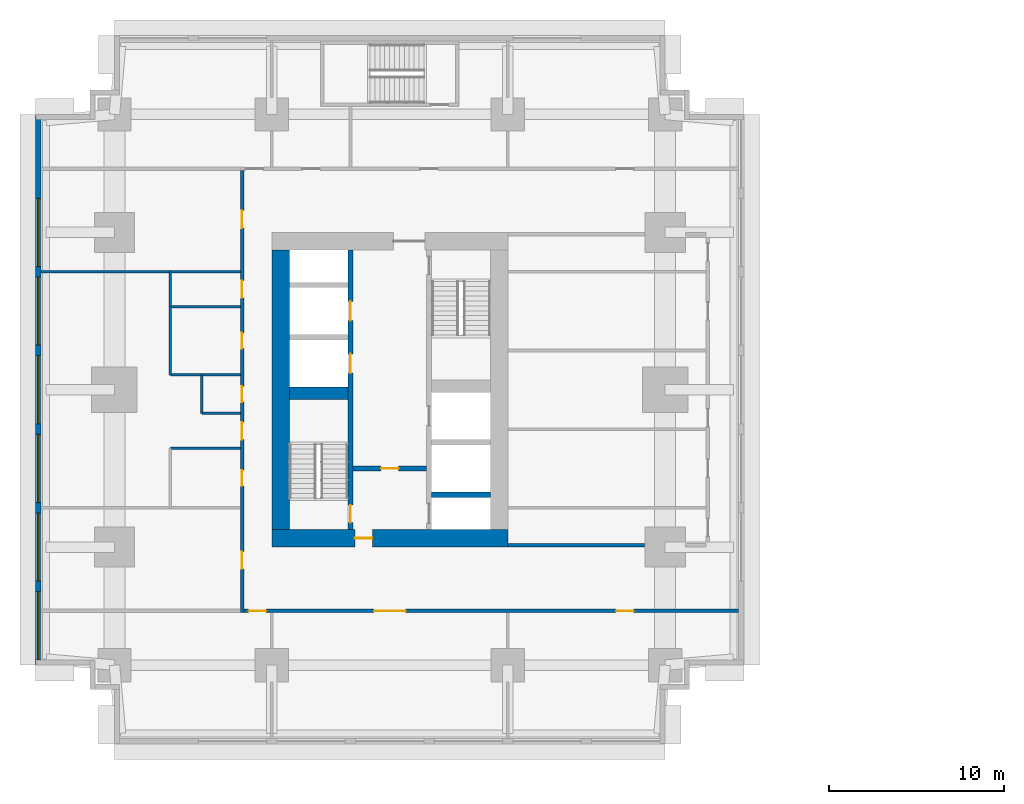
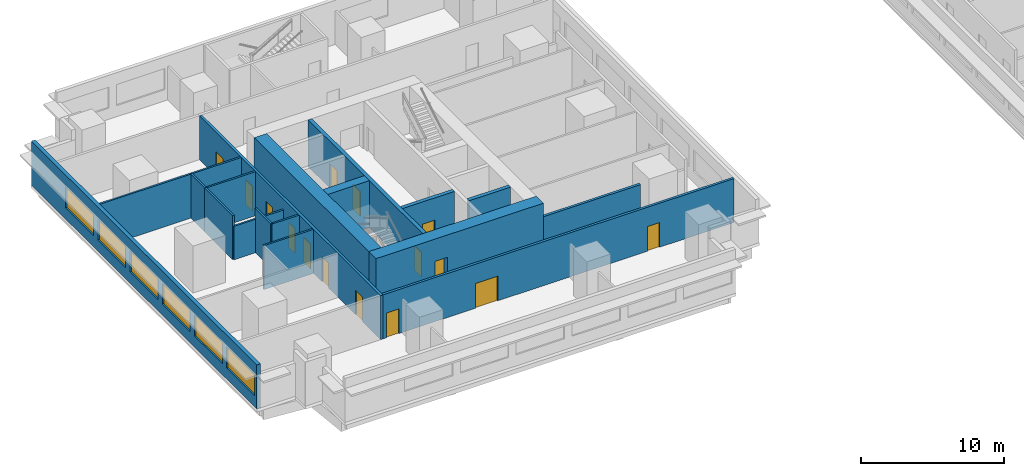
# One storey, part 3 of 11: 18 walls, 15 doors, 6 windows, 21 openings.
"""IFC4 building model written with IfcOpenShell, lengths in metres."""

from ifc_helpers import new_model, si_unit, direction, frame, frame_2d, origin, place, context, subcontext, project, spatial, rectangle, extrude, material, layer, layer_set, type_object, element, fill, save


model = new_model("IFC4")

# Units and contexts
model_context = context("Model", 3, precision=1e-05, world=origin(), true_north=direction((0.0, 1.0)))
body_context = subcontext(model_context, "Body", "Model", "MODEL_VIEW")
ifc_project = project(units=[si_unit("LENGTHUNIT", "METRE"), si_unit("AREAUNIT", "SQUARE_METRE"), si_unit("VOLUMEUNIT", "CUBIC_METRE"), si_unit("PLANEANGLEUNIT", "RADIAN"), si_unit("MASSUNIT", "GRAM", prefix="KILO")], contexts=[model_context])

# Site, building, storey
site_placement = place(None, origin())
site = spatial("IfcSite", under=ifc_project, at=site_placement, CompositionType="ELEMENT")
building_placement = place(site_placement, origin())
building = spatial("IfcBuilding", under=site, at=building_placement, Name="Namib Vertical Campus", CompositionType="ELEMENT")
storey_placement = place(building_placement, frame((0.0, 0.0, 85.0)))
storey = spatial("IfcBuildingStorey", under=building, at=storey_placement, Name="L19", CompositionType="ELEMENT", Elevation=85.0)

# Wall, openings, doors
ifc_material_1 = material(Name="Concrete C60/75", Category="concrete")
ifc_layer_1 = layer(ifc_material_1, 0.300048828125)
ifc_layer_set_1 = layer_set([ifc_layer_1], Name="Concrete C60/75")
wall_type_1 = type_object("IfcWallType", Name="Core inner wall 300", PredefinedType="SHEAR", material=ifc_layer_set_1)
wall_1_placement = place(storey_placement, frame((18.0, 12.25, 0.0), z_axis=(0.0, 0.0, 1.0), x_axis=(0.0, 1.0, 0.0)))
wall_1 = element("IfcWall", 1, at=wall_1_placement, inside=storey, type_object=wall_type_1, Name="Core inner wall A L19 W1", PredefinedType="SHEAR", context=body_context, shape_type="SweptSolid", body=[
    extrude(rectangle(XDim=16.0, YDim=0.300048828125, at=frame_2d((8.0, 0.0))), origin(), (0.0, 0.0, 1.0), 4.0),
])
opening_1_placement = place(wall_1_placement, frame((0.39990234375, 0.0, 0.0)))
opening_1 = element("IfcOpeningElement", 2, at=opening_1_placement, cuts=wall_1, Name="Opening FD1", PredefinedType="OPENING", context=body_context, shape_type="SweptSolid", body=[
    extrude(rectangle(XDim=1.0, YDim=2.10009765625, at=frame_2d((0.5, 1.050048828125))), frame((0.0, 0.159912109375, 0.0), z_axis=(0.0, -1.0, 0.0), x_axis=(1.0, 0.0, 0.0)), (0.0, 0.0, 1.0), 0.320068359375),
])
opening_2_placement = place(wall_1_placement, frame((8.949951171875, 0.0, 0.0)))
opening_2 = element("IfcOpeningElement", 3, at=opening_2_placement, cuts=wall_1, Name="Opening LD1", PredefinedType="OPENING", context=body_context, shape_type="SweptSolid", body=[
    extrude(rectangle(XDim=1.10009765625, YDim=2.10009765625, at=frame_2d((0.550048828125, 1.050048828125))), frame((0.0, 0.159912109375, 0.0), z_axis=(0.0, -1.0, 0.0), x_axis=(1.0, 0.0, 0.0)), (0.0, 0.0, 1.0), 0.320068359375),
])
opening_3_placement = place(wall_1_placement, frame((11.949951171875, 0.0, 0.0)))
opening_3 = element("IfcOpeningElement", 4, at=opening_3_placement, cuts=wall_1, Name="Opening LD1", PredefinedType="OPENING", context=body_context, shape_type="SweptSolid", body=[
    extrude(rectangle(XDim=1.10009765625, YDim=2.10009765625, at=frame_2d((0.550048828125, 1.050048828125))), frame((0.0, 0.159912109375, 0.0), z_axis=(0.0, -1.0, 0.0), x_axis=(1.0, 0.0, 0.0)), (0.0, 0.0, 1.0), 0.320068359375),
])
ifc_material_2 = material(Name="Steel fire door", Category="steel")
door_type_1 = type_object("IfcDoorType", Name="Fire door 1000x2100", OperationType="SINGLE_SWING_RIGHT", PredefinedType="DOOR", material=ifc_material_2)
door_1_placement = place(opening_1_placement, origin())
door_1 = element("IfcDoor", 5, at=door_1_placement, inside=storey, type_object=door_type_1, Name="Stair door FD1 A L19 S1", OperationType="SINGLE_SWING_LEFT", OverallHeight=2.10009765625, OverallWidth=1.0, PredefinedType="DOOR", context=body_context, shape_type="SweptSolid", body=[
    extrude(rectangle(XDim=1.0, YDim=2.10009765625, at=frame_2d((0.5, 1.050048828125))), frame((0.0, 0.02490234375, 0.0), z_axis=(0.0, -1.0, 0.0), x_axis=(1.0, 0.0, 0.0)), (0.0, 0.0, 1.0), 0.050048828125),
])
fill(opening_1, door_1)
ifc_material_3 = material(Name="Stainless steel lift door", Category="steel")
door_type_2 = type_object("IfcDoorType", Name="Lift landing door 1100x2100", OperationType="DOUBLE_DOOR_SLIDING", PredefinedType="DOOR", material=ifc_material_3)
door_2_placement = place(opening_2_placement, origin())
door_2 = element("IfcDoor", 6, at=door_2_placement, inside=storey, type_object=door_type_2, Name="Lift landing door LD1 A-P1 L19", OperationType="DOUBLE_DOOR_SLIDING", OverallHeight=2.10009765625, OverallWidth=1.10009765625, PredefinedType="DOOR", context=body_context, shape_type="SweptSolid", body=[
    extrude(rectangle(XDim=1.10009765625, YDim=2.10009765625, at=frame_2d((0.550048828125, 1.050048828125))), frame((0.0, 0.02490234375, 0.0), z_axis=(0.0, -1.0, 0.0), x_axis=(1.0, 0.0, 0.0)), (0.0, 0.0, 1.0), 0.050048828125),
])
fill(opening_2, door_2)
door_3_placement = place(opening_3_placement, origin())
door_3 = element("IfcDoor", 7, at=door_3_placement, inside=storey, type_object=door_type_2, Name="Lift landing door LD1 A-P2 L19", OperationType="DOUBLE_DOOR_SLIDING", OverallHeight=2.10009765625, OverallWidth=1.10009765625, PredefinedType="DOOR", context=body_context, shape_type="SweptSolid", body=[
    extrude(rectangle(XDim=1.10009765625, YDim=2.10009765625, at=frame_2d((0.550048828125, 1.050048828125))), frame((0.0, 0.02490234375, 0.0), z_axis=(0.0, -1.0, 0.0), x_axis=(1.0, 0.0, 0.0)), (0.0, 0.0, 1.0), 0.050048828125),
])
fill(opening_3, door_3)

# Wall, opening, door
wall_2_placement = place(storey_placement, frame((18.14990234375, 15.75, 0.0), z_axis=(0.0, 0.0, 1.0), x_axis=(1.0, 0.0, 0.0)))
wall_2 = element("IfcWall", 8, at=wall_2_placement, inside=storey, type_object=wall_type_1, Name="Core inner wall A L19 W4", PredefinedType="SHEAR", context=body_context, shape_type="SweptSolid", body=[
    extrude(rectangle(XDim=4.2001953125, YDim=0.300048828125, at=frame_2d((2.10009765625, 0.0))), origin(), (0.0, 0.0, 1.0), 4.0),
])
opening_4_placement = place(wall_2_placement, frame((1.60009765625, 0.0, 0.0)))
opening_4 = element("IfcOpeningElement", 9, at=opening_4_placement, cuts=wall_2, Name="Opening FD5", PredefinedType="OPENING", context=body_context, shape_type="SweptSolid", body=[
    extrude(rectangle(XDim=1.0, YDim=2.10009765625, at=frame_2d((0.5, 1.050048828125))), frame((0.0, 0.159912109375, 0.0), z_axis=(0.0, -1.0, 0.0), x_axis=(1.0, 0.0, 0.0)), (0.0, 0.0, 1.0), 0.320068359375),
])
ifc_material_4 = material(Name="Steel fire door", Category="steel")
door_type_3 = type_object("IfcDoorType", Name="Fire door 1000x2100 120 min", OperationType="SINGLE_SWING_RIGHT", PredefinedType="DOOR", material=ifc_material_4)
door_4_placement = place(opening_4_placement, frame((1.0, 0.0, 0.0), z_axis=(0.0, 0.0, 1.0), x_axis=(-1.0, 0.0, 0.0)))
door_4 = element("IfcDoor", 10, at=door_4_placement, inside=storey, type_object=door_type_3, Name="Lobby door FD5 A L19", OperationType="SINGLE_SWING_RIGHT", OverallHeight=2.10009765625, OverallWidth=1.0, PredefinedType="DOOR", context=body_context, shape_type="SweptSolid", body=[
    extrude(rectangle(XDim=1.0, YDim=2.10009765625, at=frame_2d((0.5, 1.050048828125))), frame((0.0, 0.02490234375, 0.0), z_axis=(0.0, -1.0, 0.0), x_axis=(1.0, 0.0, 0.0)), (0.0, 0.0, 1.0), 0.050048828125),
])
fill(opening_4, door_4)

# Walls
wall_3_placement = place(storey_placement, frame((22.64990234375, 14.25, 0.0), z_axis=(0.0, 0.0, 1.0), x_axis=(1.0, 0.0, 0.0)))
element("IfcWall", 11, at=wall_3_placement, inside=storey, type_object=wall_type_1, Name="Core inner wall A L19 W5", PredefinedType="SHEAR", context=body_context, shape_type="SweptSolid", body=[
    extrude(rectangle(XDim=3.35009765625, YDim=0.300048828125, at=frame_2d((1.675048828125, 0.0))), origin(), (0.0, 0.0, 1.0), 4.0),
])
ifc_material_5 = material(Name="Concrete C60/75", Category="concrete")
ifc_layer_2 = layer(ifc_material_5, 0.699951171875)
ifc_layer_set_2 = layer_set([ifc_layer_2], Name="Concrete C60/75")
wall_type_2 = type_object("IfcWallType", Name="Core shear wall 700", PredefinedType="SHEAR", material=ifc_layer_set_2)
wall_4_placement = place(storey_placement, frame((14.5, 20.050048828125, 0.0), z_axis=(0.0, 0.0, 1.0), x_axis=(1.0, 0.0, 0.0)))
element("IfcWall", 12, at=wall_4_placement, inside=storey, type_object=wall_type_2, Name="Core shear wall A L19 W3", PredefinedType="SHEAR", context=body_context, shape_type="SweptSolid", body=[
    extrude(rectangle(XDim=3.35009765625, YDim=0.699951171875, at=frame_2d((1.675048828125, 0.0))), origin(), (0.0, 0.0, 1.0), 4.0),
])

# Wall, opening, door
ifc_material_6 = material(Name="Concrete C60/75", Category="concrete")
ifc_layer_3 = layer(ifc_material_6, 1.0)
ifc_layer_set_3 = layer_set([ifc_layer_3], Name="Concrete C60/75")
wall_type_3 = type_object("IfcWallType", Name="Core wall 1000", PredefinedType="SHEAR", material=ifc_layer_set_3)
wall_5_placement = place(storey_placement, frame((13.5, 11.75, 0.0), z_axis=(0.0, 0.0, 1.0), x_axis=(1.0, 0.0, 0.0)))
wall_5 = element("IfcWall", 13, at=wall_5_placement, inside=storey, type_object=wall_type_3, Name="Core wall A L19 1", PredefinedType="SHEAR", context=body_context, shape_type="SweptSolid", body=[
    extrude(rectangle(XDim=13.5, YDim=1.0, at=frame_2d((6.75, 0.0))), origin(), (0.0, 0.0, 1.0), 4.0),
])
opening_5_placement = place(wall_5_placement, frame((4.75, 0.0, 0.0)))
opening_5 = element("IfcOpeningElement", 14, at=opening_5_placement, cuts=wall_5, Name="Opening FD5", PredefinedType="OPENING", context=body_context, shape_type="SweptSolid", body=[
    extrude(rectangle(XDim=1.0, YDim=2.10009765625, at=frame_2d((0.5, 1.050048828125))), frame((0.0, 0.510009765625, 0.0), z_axis=(0.0, -1.0, 0.0), x_axis=(1.0, 0.0, 0.0)), (0.0, 0.0, 1.0), 1.02001953125),
])
door_5_placement = place(opening_5_placement, origin())
door_5 = element("IfcDoor", 15, at=door_5_placement, inside=storey, type_object=door_type_3, Name="Firefighting lobby door FD5 A L19", OperationType="SINGLE_SWING_LEFT", OverallHeight=2.10009765625, OverallWidth=1.0, PredefinedType="DOOR", context=body_context, shape_type="SweptSolid", body=[
    extrude(rectangle(XDim=1.0, YDim=2.10009765625, at=frame_2d((0.5, 1.050048828125))), frame((0.0, 0.02490234375, 0.0), z_axis=(0.0, -1.0, 0.0), x_axis=(1.0, 0.0, 0.0)), (0.0, 0.0, 1.0), 0.050048828125),
])
fill(opening_5, door_5)

# Wall
wall_6_placement = place(storey_placement, frame((14.0, 28.25, 0.0), z_axis=(0.0, 0.0, 1.0), x_axis=(0.0, -1.0, 0.0)))
element("IfcWall", 16, at=wall_6_placement, inside=storey, type_object=wall_type_3, Name="Core wall A L19 4", PredefinedType="SHEAR", context=body_context, shape_type="SweptSolid", body=[
    extrude(rectangle(XDim=16.0, YDim=1.0, at=frame_2d((8.0, 0.0))), origin(), (0.0, 0.0, 1.0), 4.0),
])

# Wall, openings, doors
ifc_material_7 = material(Name="Concrete masonry", Category="masonry")
ifc_layer_4 = layer(ifc_material_7, 0.199951171875)
ifc_layer_set_4 = layer_set([ifc_layer_4], Name="Corridor wall 200")
wall_type_4 = type_object("IfcWallType", Name="Corridor wall 200", PredefinedType="SOLIDWALL", material=ifc_layer_set_4)
wall_7_placement = place(storey_placement, frame((11.89990234375, 7.60009765625, 0.0), z_axis=(0.0, 0.0, 1.0), x_axis=(1.0, 0.0, 0.0)))
wall_7 = element("IfcWall", 17, at=wall_7_placement, inside=storey, type_object=wall_type_4, Name="Corridor wall A L19 CS", PredefinedType="SOLIDWALL", context=body_context, shape_type="SweptSolid", body=[
    extrude(rectangle(XDim=28.300048828125, YDim=0.199951171875, at=frame_2d((14.14990234375, 0.0))), origin(), (0.0, 0.0, 1.0), 3.75),
])
opening_6_placement = place(wall_7_placement, frame((0.27490234375, 0.0, 0.0)))
opening_6 = element("IfcOpeningElement", 18, at=opening_6_placement, cuts=wall_7, Name="Opening CD1", PredefinedType="OPENING", context=body_context, shape_type="SweptSolid", body=[
    extrude(rectangle(XDim=1.0, YDim=2.10009765625, at=frame_2d((0.5, 1.050048828125))), frame((0.0, 0.10986328125, 0.0), z_axis=(0.0, -1.0, 0.0), x_axis=(1.0, 0.0, 0.0)), (0.0, 0.0, 1.0), 0.219970703125),
])
opening_7_placement = place(wall_7_placement, frame((7.449951171875, 0.0, 0.0)))
opening_7 = element("IfcOpeningElement", 19, at=opening_7_placement, cuts=wall_7, Name="Opening CD2", PredefinedType="OPENING", context=body_context, shape_type="SweptSolid", body=[
    extrude(rectangle(XDim=1.800048828125, YDim=2.10009765625, at=frame_2d((0.89990234375, 1.050048828125))), frame((0.0, 0.10986328125, 0.0), z_axis=(0.0, -1.0, 0.0), x_axis=(1.0, 0.0, 0.0)), (0.0, 0.0, 1.0), 0.219970703125),
])
opening_8_placement = place(wall_7_placement, frame((21.300048828125, 0.0, 0.0)))
opening_8 = element("IfcOpeningElement", 20, at=opening_8_placement, cuts=wall_7, Name="Opening CD1", PredefinedType="OPENING", context=body_context, shape_type="SweptSolid", body=[
    extrude(rectangle(XDim=1.0, YDim=2.10009765625, at=frame_2d((0.5, 1.050048828125))), frame((0.0, 0.10986328125, 0.0), z_axis=(0.0, -1.0, 0.0), x_axis=(1.0, 0.0, 0.0)), (0.0, 0.0, 1.0), 0.219970703125),
])
ifc_material_8 = material(Name="Timber fire door leaf", Category="wood")
door_type_4 = type_object("IfcDoorType", Name="Corridor door 1000x2100 20 min", OperationType="SINGLE_SWING_LEFT", PredefinedType="DOOR", material=ifc_material_8)
door_6_placement = place(opening_6_placement, frame((1.0, 0.0, 0.0), z_axis=(0.0, 0.0, 1.0), x_axis=(-1.0, 0.0, 0.0)))
door_6 = element("IfcDoor", 21, at=door_6_placement, inside=storey, type_object=door_type_4, Name="Door CD1 A19-01", OperationType="SINGLE_SWING_LEFT", OverallHeight=2.10009765625, OverallWidth=1.0, PredefinedType="DOOR", context=body_context, shape_type="SweptSolid", body=[
    extrude(rectangle(XDim=1.0, YDim=2.10009765625, at=frame_2d((0.5, 1.050048828125))), frame((0.0, 0.02490234375, 0.0), z_axis=(0.0, -1.0, 0.0), x_axis=(1.0, 0.0, 0.0)), (0.0, 0.0, 1.0), 0.050048828125),
])
fill(opening_6, door_6)
door_7_placement = place(opening_8_placement, frame((1.0, 0.0, 0.0), z_axis=(0.0, 0.0, 1.0), x_axis=(-1.0, 0.0, 0.0)))
door_7 = element("IfcDoor", 22, at=door_7_placement, inside=storey, type_object=door_type_4, Name="Door CD1 A19-03", OperationType="SINGLE_SWING_RIGHT", OverallHeight=2.10009765625, OverallWidth=1.0, PredefinedType="DOOR", context=body_context, shape_type="SweptSolid", body=[
    extrude(rectangle(XDim=1.0, YDim=2.10009765625, at=frame_2d((0.5, 1.050048828125))), frame((0.0, 0.02490234375, 0.0), z_axis=(0.0, -1.0, 0.0), x_axis=(1.0, 0.0, 0.0)), (0.0, 0.0, 1.0), 0.050048828125),
])
fill(opening_8, door_7)
ifc_material_9 = material(Name="Timber fire door leaf", Category="wood")
door_type_5 = type_object("IfcDoorType", Name="Corridor door double 1800x2100 20 min", OperationType="DOUBLE_DOOR_SINGLE_SWING", PredefinedType="DOOR", material=ifc_material_9)
door_8_placement = place(opening_7_placement, frame((1.800048828125, 0.0, 0.0), z_axis=(0.0, 0.0, 1.0), x_axis=(-1.0, 0.0, 0.0)))
door_8 = element("IfcDoor", 23, at=door_8_placement, inside=storey, type_object=door_type_5, Name="Door CD2 A19-02", OperationType="DOUBLE_DOOR_SINGLE_SWING", OverallHeight=2.10009765625, OverallWidth=1.800048828125, PredefinedType="DOOR", context=body_context, shape_type="SweptSolid", body=[
    extrude(rectangle(XDim=1.800048828125, YDim=2.10009765625, at=frame_2d((0.89990234375, 1.050048828125))), frame((0.0, 0.02490234375, 0.0), z_axis=(0.0, -1.0, 0.0), x_axis=(1.0, 0.0, 0.0)), (0.0, 0.0, 1.0), 0.050048828125),
])
fill(opening_7, door_8)

wall_8_placement = place(storey_placement, frame((11.800048828125, 32.800048828125, 0.0), z_axis=(0.0, 0.0, 1.0), x_axis=(0.0, -1.0, 0.0)))
wall_8 = element("IfcWall", 24, at=wall_8_placement, inside=storey, type_object=wall_type_4, Name="Corridor wall A L19 CW", PredefinedType="SOLIDWALL", context=body_context, shape_type="SweptSolid", body=[
    extrude(rectangle(XDim=25.300048828125, YDim=0.199951171875, at=frame_2d((12.64990234375, 0.0))), origin(), (0.0, 0.0, 1.0), 3.75),
])
opening_9_placement = place(wall_8_placement, frame((21.800048828125, 0.0, 0.0)))
opening_9 = element("IfcOpeningElement", 25, at=opening_9_placement, cuts=wall_8, Name="Opening CD1", PredefinedType="OPENING", context=body_context, shape_type="SweptSolid", body=[
    extrude(rectangle(XDim=1.0, YDim=2.10009765625, at=frame_2d((0.5, 1.050048828125))), frame((0.0, 0.10986328125, 0.0), z_axis=(0.0, -1.0, 0.0), x_axis=(1.0, 0.0, 0.0)), (0.0, 0.0, 1.0), 0.219970703125),
])
opening_10_placement = place(wall_8_placement, frame((17.14990234375, 0.0, 0.0)))
opening_10 = element("IfcOpeningElement", 26, at=opening_10_placement, cuts=wall_8, Name="Opening CD3", PredefinedType="OPENING", context=body_context, shape_type="SweptSolid", body=[
    extrude(rectangle(XDim=0.89990234375, YDim=2.10009765625, at=frame_2d((0.449951171875, 1.050048828125))), frame((0.0, 0.10986328125, 0.0), z_axis=(0.0, -1.0, 0.0), x_axis=(1.0, 0.0, 0.0)), (0.0, 0.0, 1.0), 0.219970703125),
])
opening_11_placement = place(wall_8_placement, frame((12.35009765625, 0.0, 0.0)))
opening_11 = element("IfcOpeningElement", 27, at=opening_11_placement, cuts=wall_8, Name="Opening CD3", PredefinedType="OPENING", context=body_context, shape_type="SweptSolid", body=[
    extrude(rectangle(XDim=0.89990234375, YDim=2.10009765625, at=frame_2d((0.449951171875, 1.050048828125))), frame((0.0, 0.10986328125, 0.0), z_axis=(0.0, -1.0, 0.0), x_axis=(1.0, 0.0, 0.0)), (0.0, 0.0, 1.0), 0.219970703125),
])
opening_12_placement = place(wall_8_placement, frame((9.300048828125, 0.0, 0.0)))
opening_12 = element("IfcOpeningElement", 28, at=opening_12_placement, cuts=wall_8, Name="Opening CD3", PredefinedType="OPENING", context=body_context, shape_type="SweptSolid", body=[
    extrude(rectangle(XDim=0.89990234375, YDim=2.10009765625, at=frame_2d((0.449951171875, 1.050048828125))), frame((0.0, 0.10986328125, 0.0), z_axis=(0.0, -1.0, 0.0), x_axis=(1.0, 0.0, 0.0)), (0.0, 0.0, 1.0), 0.219970703125),
])
opening_13_placement = place(wall_8_placement, frame((6.300048828125, 0.0, 0.0)))
opening_13 = element("IfcOpeningElement", 29, at=opening_13_placement, cuts=wall_8, Name="Opening CD1", PredefinedType="OPENING", context=body_context, shape_type="SweptSolid", body=[
    extrude(rectangle(XDim=1.0, YDim=2.10009765625, at=frame_2d((0.5, 1.050048828125))), frame((0.0, 0.10986328125, 0.0), z_axis=(0.0, -1.0, 0.0), x_axis=(1.0, 0.0, 0.0)), (0.0, 0.0, 1.0), 0.219970703125),
])
opening_14_placement = place(wall_8_placement, frame((14.39990234375, 0.0, 0.0)))
opening_14 = element("IfcOpeningElement", 30, at=opening_14_placement, cuts=wall_8, Name="Opening CD1", PredefinedType="OPENING", context=body_context, shape_type="SweptSolid", body=[
    extrude(rectangle(XDim=1.0, YDim=2.10009765625, at=frame_2d((0.5, 1.050048828125))), frame((0.0, 0.10986328125, 0.0), z_axis=(0.0, -1.0, 0.0), x_axis=(1.0, 0.0, 0.0)), (0.0, 0.0, 1.0), 0.219970703125),
])
opening_15_placement = place(wall_8_placement, frame((2.300048828125, 0.0, 0.0)))
opening_15 = element("IfcOpeningElement", 31, at=opening_15_placement, cuts=wall_8, Name="Opening CD1", PredefinedType="OPENING", context=body_context, shape_type="SweptSolid", body=[
    extrude(rectangle(XDim=1.0, YDim=2.10009765625, at=frame_2d((0.5, 1.050048828125))), frame((0.0, 0.10986328125, 0.0), z_axis=(0.0, -1.0, 0.0), x_axis=(1.0, 0.0, 0.0)), (0.0, 0.0, 1.0), 0.219970703125),
])
door_9_placement = place(opening_9_placement, frame((1.0, 0.0, 0.0), z_axis=(0.0, 0.0, 1.0), x_axis=(-1.0, 0.0, 0.0)))
door_9 = element("IfcDoor", 32, at=door_9_placement, inside=storey, type_object=door_type_4, Name="Door CD1 A19-13", OperationType="SINGLE_SWING_RIGHT", OverallHeight=2.10009765625, OverallWidth=1.0, PredefinedType="DOOR", context=body_context, shape_type="SweptSolid", body=[
    extrude(rectangle(XDim=1.0, YDim=2.10009765625, at=frame_2d((0.5, 1.050048828125))), frame((0.0, 0.02490234375, 0.0), z_axis=(0.0, -1.0, 0.0), x_axis=(1.0, 0.0, 0.0)), (0.0, 0.0, 1.0), 0.050048828125),
])
fill(opening_9, door_9)
door_10_placement = place(opening_13_placement, frame((1.0, 0.0, 0.0), z_axis=(0.0, 0.0, 1.0), x_axis=(-1.0, 0.0, 0.0)))
door_10 = element("IfcDoor", 33, at=door_10_placement, inside=storey, type_object=door_type_4, Name="Door CD1 A19-17", OperationType="SINGLE_SWING_RIGHT", OverallHeight=2.10009765625, OverallWidth=1.0, PredefinedType="DOOR", context=body_context, shape_type="SweptSolid", body=[
    extrude(rectangle(XDim=1.0, YDim=2.10009765625, at=frame_2d((0.5, 1.050048828125))), frame((0.0, 0.02490234375, 0.0), z_axis=(0.0, -1.0, 0.0), x_axis=(1.0, 0.0, 0.0)), (0.0, 0.0, 1.0), 0.050048828125),
])
fill(opening_13, door_10)
door_11_placement = place(opening_14_placement, frame((1.0, 0.0, 0.0), z_axis=(0.0, 0.0, 1.0), x_axis=(-1.0, 0.0, 0.0)))
door_11 = element("IfcDoor", 34, at=door_11_placement, inside=storey, type_object=door_type_4, Name="Door CD1 A19-18", OperationType="SINGLE_SWING_RIGHT", OverallHeight=2.10009765625, OverallWidth=1.0, PredefinedType="DOOR", context=body_context, shape_type="SweptSolid", body=[
    extrude(rectangle(XDim=1.0, YDim=2.10009765625, at=frame_2d((0.5, 1.050048828125))), frame((0.0, 0.02490234375, 0.0), z_axis=(0.0, -1.0, 0.0), x_axis=(1.0, 0.0, 0.0)), (0.0, 0.0, 1.0), 0.050048828125),
])
fill(opening_14, door_11)
door_12_placement = place(opening_15_placement, frame((1.0, 0.0, 0.0), z_axis=(0.0, 0.0, 1.0), x_axis=(-1.0, 0.0, 0.0)))
door_12 = element("IfcDoor", 35, at=door_12_placement, inside=storey, type_object=door_type_4, Name="Door CD1 A19-19", OperationType="SINGLE_SWING_RIGHT", OverallHeight=2.10009765625, OverallWidth=1.0, PredefinedType="DOOR", context=body_context, shape_type="SweptSolid", body=[
    extrude(rectangle(XDim=1.0, YDim=2.10009765625, at=frame_2d((0.5, 1.050048828125))), frame((0.0, 0.02490234375, 0.0), z_axis=(0.0, -1.0, 0.0), x_axis=(1.0, 0.0, 0.0)), (0.0, 0.0, 1.0), 0.050048828125),
])
fill(opening_15, door_12)
ifc_material_10 = material(Name="Timber fire door leaf", Category="wood")
door_type_6 = type_object("IfcDoorType", Name="Corridor toilet door 900x2100 20 min", OperationType="SINGLE_SWING_LEFT", PredefinedType="DOOR", material=ifc_material_10)
door_13_placement = place(opening_10_placement, frame((0.89990234375, 0.0, 0.0), z_axis=(0.0, 0.0, 1.0), x_axis=(-1.0, 0.0, 0.0)))
door_13 = element("IfcDoor", 36, at=door_13_placement, inside=storey, type_object=door_type_6, Name="Door CD3 A19-14", OperationType="SINGLE_SWING_RIGHT", OverallHeight=2.10009765625, OverallWidth=0.89990234375, PredefinedType="DOOR", context=body_context, shape_type="SweptSolid", body=[
    extrude(rectangle(XDim=0.89990234375, YDim=2.10009765625, at=frame_2d((0.449951171875, 1.050048828125))), frame((0.0, 0.02490234375, 0.0), z_axis=(0.0, -1.0, 0.0), x_axis=(1.0, 0.0, 0.0)), (0.0, 0.0, 1.0), 0.050048828125),
])
fill(opening_10, door_13)
door_14_placement = place(opening_11_placement, frame((0.89990234375, 0.0, 0.0), z_axis=(0.0, 0.0, 1.0), x_axis=(-1.0, 0.0, 0.0)))
door_14 = element("IfcDoor", 37, at=door_14_placement, inside=storey, type_object=door_type_6, Name="Door CD3 A19-15", OperationType="SINGLE_SWING_RIGHT", OverallHeight=2.10009765625, OverallWidth=0.89990234375, PredefinedType="DOOR", context=body_context, shape_type="SweptSolid", body=[
    extrude(rectangle(XDim=0.89990234375, YDim=2.10009765625, at=frame_2d((0.449951171875, 1.050048828125))), frame((0.0, 0.02490234375, 0.0), z_axis=(0.0, -1.0, 0.0), x_axis=(1.0, 0.0, 0.0)), (0.0, 0.0, 1.0), 0.050048828125),
])
fill(opening_11, door_14)
door_15_placement = place(opening_12_placement, frame((0.89990234375, 0.0, 0.0), z_axis=(0.0, 0.0, 1.0), x_axis=(-1.0, 0.0, 0.0)))
door_15 = element("IfcDoor", 38, at=door_15_placement, inside=storey, type_object=door_type_6, Name="Door CD3 A19-16", OperationType="SINGLE_SWING_RIGHT", OverallHeight=2.10009765625, OverallWidth=0.89990234375, PredefinedType="DOOR", context=body_context, shape_type="SweptSolid", body=[
    extrude(rectangle(XDim=0.89990234375, YDim=2.10009765625, at=frame_2d((0.449951171875, 1.050048828125))), frame((0.0, 0.02490234375, 0.0), z_axis=(0.0, -1.0, 0.0), x_axis=(1.0, 0.0, 0.0)), (0.0, 0.0, 1.0), 0.050048828125),
])
fill(opening_12, door_15)

# Wall
wall_9_placement = place(storey_placement, frame((27.0, 11.35009765625, 0.0), z_axis=(0.0, 0.0, 1.0), x_axis=(1.0, 0.0, 0.0)))
element("IfcWall", 39, at=wall_9_placement, inside=storey, type_object=wall_type_4, Name="Corridor wall A L19 GS", PredefinedType="SOLIDWALL", context=body_context, shape_type="SweptSolid", body=[
    extrude(rectangle(XDim=7.830078125, YDim=0.199951171875, at=frame_2d((3.9150390625, 0.0))), origin(), (0.0, 0.0, 1.0), 2.85009765625),
])

# Wall, openings, windows
ifc_material_11 = material(Name="Concrete C40/50", Category="concrete")
ifc_layer_5 = layer(ifc_material_11, 0.300048828125)
ifc_layer_set_5 = layer_set([ifc_layer_5], Name="Concrete C40/50")
wall_type_5 = type_object("IfcWallType", Name="External wall 300 board-marked concrete", PredefinedType="STANDARD", material=ifc_layer_set_5)
wall_10_placement = place(storey_placement, frame((0.14990234375, 35.97998046875, 0.0), z_axis=(0.0, 0.0, 1.0), x_axis=(0.0, -1.0, 0.0)))
wall_10 = element("IfcWall", 40, at=wall_10_placement, inside=storey, type_object=wall_type_5, Name="External wall L19 F16", PredefinedType="STANDARD", context=body_context, shape_type="SweptSolid", body=[
    extrude(rectangle(XDim=31.4599609375, YDim=0.300048828125, at=frame_2d((15.72998046875, 0.0))), origin(), (0.0, 0.0, 1.0), 3.75),
])
opening_16_placement = place(wall_10_placement, frame((27.280029296875, 0.0, 0.949951171875)))
opening_16 = element("IfcOpeningElement", 41, at=opening_16_placement, cuts=wall_10, Name="Opening W3", PredefinedType="OPENING", context=body_context, shape_type="SweptSolid", body=[
    extrude(rectangle(XDim=3.89990234375, YDim=1.800048828125, at=frame_2d((1.949951171875, 0.89990234375))), frame((0.0, 0.159912109375, 0.0), z_axis=(0.0, -1.0, 0.0), x_axis=(1.0, 0.0, 0.0)), (0.0, 0.0, 1.0), 0.320068359375),
])
opening_17_placement = place(wall_10_placement, frame((22.780029296875, 0.0, 0.949951171875)))
opening_17 = element("IfcOpeningElement", 42, at=opening_17_placement, cuts=wall_10, Name="Opening W3", PredefinedType="OPENING", context=body_context, shape_type="SweptSolid", body=[
    extrude(rectangle(XDim=3.89990234375, YDim=1.800048828125, at=frame_2d((1.949951171875, 0.89990234375))), frame((0.0, 0.159912109375, 0.0), z_axis=(0.0, -1.0, 0.0), x_axis=(1.0, 0.0, 0.0)), (0.0, 0.0, 1.0), 0.320068359375),
])
opening_18_placement = place(wall_10_placement, frame((18.280029296875, 0.0, 0.949951171875)))
opening_18 = element("IfcOpeningElement", 43, at=opening_18_placement, cuts=wall_10, Name="Opening W3", PredefinedType="OPENING", context=body_context, shape_type="SweptSolid", body=[
    extrude(rectangle(XDim=3.89990234375, YDim=1.800048828125, at=frame_2d((1.949951171875, 0.89990234375))), frame((0.0, 0.159912109375, 0.0), z_axis=(0.0, -1.0, 0.0), x_axis=(1.0, 0.0, 0.0)), (0.0, 0.0, 1.0), 0.320068359375),
])
opening_19_placement = place(wall_10_placement, frame((13.780029296875, 0.0, 0.949951171875)))
opening_19 = element("IfcOpeningElement", 44, at=opening_19_placement, cuts=wall_10, Name="Opening W3", PredefinedType="OPENING", context=body_context, shape_type="SweptSolid", body=[
    extrude(rectangle(XDim=3.89990234375, YDim=1.800048828125, at=frame_2d((1.949951171875, 0.89990234375))), frame((0.0, 0.159912109375, 0.0), z_axis=(0.0, -1.0, 0.0), x_axis=(1.0, 0.0, 0.0)), (0.0, 0.0, 1.0), 0.320068359375),
])
opening_20_placement = place(wall_10_placement, frame((9.280029296875, 0.0, 0.949951171875)))
opening_20 = element("IfcOpeningElement", 45, at=opening_20_placement, cuts=wall_10, Name="Opening W3", PredefinedType="OPENING", context=body_context, shape_type="SweptSolid", body=[
    extrude(rectangle(XDim=3.89990234375, YDim=1.800048828125, at=frame_2d((1.949951171875, 0.89990234375))), frame((0.0, 0.159912109375, 0.0), z_axis=(0.0, -1.0, 0.0), x_axis=(1.0, 0.0, 0.0)), (0.0, 0.0, 1.0), 0.320068359375),
])
opening_21_placement = place(wall_10_placement, frame((4.780029296875, 0.0, 0.949951171875)))
opening_21 = element("IfcOpeningElement", 46, at=opening_21_placement, cuts=wall_10, Name="Opening W3", PredefinedType="OPENING", context=body_context, shape_type="SweptSolid", body=[
    extrude(rectangle(XDim=3.89990234375, YDim=1.800048828125, at=frame_2d((1.949951171875, 0.89990234375))), frame((0.0, 0.159912109375, 0.0), z_axis=(0.0, -1.0, 0.0), x_axis=(1.0, 0.0, 0.0)), (0.0, 0.0, 1.0), 0.320068359375),
])
ifc_material_12 = material(Name="Dark tinted glass in black aluminium frame", Category="aluminium")
window_type = type_object("IfcWindowType", Name="Ribbon window 3900x1800", PartitioningType="SINGLE_PANEL", PredefinedType="WINDOW", material=ifc_material_12)
window_1_placement = place(opening_16_placement, origin())
window_1 = element("IfcWindow", 47, at=window_1_placement, inside=storey, type_object=window_type, Name="Window W3 L19 F16-1", OverallHeight=1.800048828125, OverallWidth=3.89990234375, PartitioningType="SINGLE_PANEL", PredefinedType="WINDOW", context=body_context, shape_type="SweptSolid", body=[
    extrude(rectangle(XDim=3.89990234375, YDim=1.800048828125, at=frame_2d((1.949951171875, 0.89990234375))), frame((0.0, 0.030029296875, 0.0), z_axis=(0.0, -1.0, 0.0), x_axis=(1.0, 0.0, 0.0)), (0.0, 0.0, 1.0), 0.06005859375),
])
fill(opening_16, window_1)
window_2_placement = place(opening_17_placement, origin())
window_2 = element("IfcWindow", 48, at=window_2_placement, inside=storey, type_object=window_type, Name="Window W3 L19 F16-2", OverallHeight=1.800048828125, OverallWidth=3.89990234375, PartitioningType="SINGLE_PANEL", PredefinedType="WINDOW", context=body_context, shape_type="SweptSolid", body=[
    extrude(rectangle(XDim=3.89990234375, YDim=1.800048828125, at=frame_2d((1.949951171875, 0.89990234375))), frame((0.0, 0.030029296875, 0.0), z_axis=(0.0, -1.0, 0.0), x_axis=(1.0, 0.0, 0.0)), (0.0, 0.0, 1.0), 0.06005859375),
])
fill(opening_17, window_2)
window_3_placement = place(opening_18_placement, origin())
window_3 = element("IfcWindow", 49, at=window_3_placement, inside=storey, type_object=window_type, Name="Window W3 L19 F16-3", OverallHeight=1.800048828125, OverallWidth=3.89990234375, PartitioningType="SINGLE_PANEL", PredefinedType="WINDOW", context=body_context, shape_type="SweptSolid", body=[
    extrude(rectangle(XDim=3.89990234375, YDim=1.800048828125, at=frame_2d((1.949951171875, 0.89990234375))), frame((0.0, 0.030029296875, 0.0), z_axis=(0.0, -1.0, 0.0), x_axis=(1.0, 0.0, 0.0)), (0.0, 0.0, 1.0), 0.06005859375),
])
fill(opening_18, window_3)
window_4_placement = place(opening_19_placement, origin())
window_4 = element("IfcWindow", 50, at=window_4_placement, inside=storey, type_object=window_type, Name="Window W3 L19 F16-4", OverallHeight=1.800048828125, OverallWidth=3.89990234375, PartitioningType="SINGLE_PANEL", PredefinedType="WINDOW", context=body_context, shape_type="SweptSolid", body=[
    extrude(rectangle(XDim=3.89990234375, YDim=1.800048828125, at=frame_2d((1.949951171875, 0.89990234375))), frame((0.0, 0.030029296875, 0.0), z_axis=(0.0, -1.0, 0.0), x_axis=(1.0, 0.0, 0.0)), (0.0, 0.0, 1.0), 0.06005859375),
])
fill(opening_19, window_4)
window_5_placement = place(opening_20_placement, origin())
window_5 = element("IfcWindow", 51, at=window_5_placement, inside=storey, type_object=window_type, Name="Window W3 L19 F16-5", OverallHeight=1.800048828125, OverallWidth=3.89990234375, PartitioningType="SINGLE_PANEL", PredefinedType="WINDOW", context=body_context, shape_type="SweptSolid", body=[
    extrude(rectangle(XDim=3.89990234375, YDim=1.800048828125, at=frame_2d((1.949951171875, 0.89990234375))), frame((0.0, 0.030029296875, 0.0), z_axis=(0.0, -1.0, 0.0), x_axis=(1.0, 0.0, 0.0)), (0.0, 0.0, 1.0), 0.06005859375),
])
fill(opening_20, window_5)
window_6_placement = place(opening_21_placement, origin())
window_6 = element("IfcWindow", 52, at=window_6_placement, inside=storey, type_object=window_type, Name="Window W3 L19 F16-6", OverallHeight=1.800048828125, OverallWidth=3.89990234375, PartitioningType="SINGLE_PANEL", PredefinedType="WINDOW", context=body_context, shape_type="SweptSolid", body=[
    extrude(rectangle(XDim=3.89990234375, YDim=1.800048828125, at=frame_2d((1.949951171875, 0.89990234375))), frame((0.0, 0.030029296875, 0.0), z_axis=(0.0, -1.0, 0.0), x_axis=(1.0, 0.0, 0.0)), (0.0, 0.0, 1.0), 0.06005859375),
])
fill(opening_21, window_6)

# Walls
ifc_material_13 = material(Name="Gypsum board on steel studs", Category="steel")
ifc_layer_6 = layer(ifc_material_13, 0.14990234375)
ifc_layer_set_6 = layer_set([ifc_layer_6], Name="Gypsum board on steel studs")
wall_type_6 = type_object("IfcWallType", Name="Partition 150", PredefinedType="PARTITIONING", material=ifc_layer_set_6)
wall_11_placement = place(storey_placement, frame((0.300048828125, 27.0, 0.0), z_axis=(0.0, 0.0, 1.0), x_axis=(1.0, 0.0, 0.0)))
element("IfcWall", 53, at=wall_11_placement, inside=storey, type_object=wall_type_6, Name="Partition A L19 PW2", PredefinedType="PARTITIONING", context=body_context, shape_type="SweptSolid", body=[
    extrude(rectangle(XDim=11.39990234375, YDim=0.14990234375, at=frame_2d((5.699951171875, 0.0))), origin(), (0.0, 0.0, 1.0), 3.75),
])
wall_12_placement = place(storey_placement, frame((11.699951171875, 16.89990234375, 0.0), z_axis=(0.0, 0.0, 1.0), x_axis=(-1.0, 0.0, 0.0)))
element("IfcWall", 54, at=wall_12_placement, inside=storey, type_object=wall_type_6, Name="Partition A L19 WR1", PredefinedType="PARTITIONING", context=body_context, shape_type="SweptSolid", body=[
    extrude(rectangle(XDim=4.0, YDim=0.14990234375, at=frame_2d((2.0, 0.0))), origin(), (0.0, 0.0, 1.0), 3.75),
])
wall_13_placement = place(storey_placement, frame((11.699951171875, 18.89990234375, 0.0), z_axis=(0.0, 0.0, 1.0), x_axis=(-1.0, 0.0, 0.0)))
element("IfcWall", 55, at=wall_13_placement, inside=storey, type_object=wall_type_6, Name="Partition A L19 WR2", PredefinedType="PARTITIONING", context=body_context, shape_type="SweptSolid", body=[
    extrude(rectangle(XDim=2.199951171875, YDim=0.14990234375, at=frame_2d((1.10009765625, 0.0))), origin(), (0.0, 0.0, 1.0), 3.75),
])
wall_14_placement = place(storey_placement, frame((11.699951171875, 21.10009765625, 0.0), z_axis=(0.0, 0.0, 1.0), x_axis=(-1.0, 0.0, 0.0)))
element("IfcWall", 56, at=wall_14_placement, inside=storey, type_object=wall_type_6, Name="Partition A L19 WR3", PredefinedType="PARTITIONING", context=body_context, shape_type="SweptSolid", body=[
    extrude(rectangle(XDim=4.0, YDim=0.14990234375, at=frame_2d((2.0, 0.0))), origin(), (0.0, 0.0, 1.0), 2.85009765625),
])
wall_15_placement = place(storey_placement, frame((11.699951171875, 25.0, 0.0), z_axis=(0.0, 0.0, 1.0), x_axis=(-1.0, 0.0, 0.0)))
element("IfcWall", 57, at=wall_15_placement, inside=storey, type_object=wall_type_6, Name="Partition A L19 WR4", PredefinedType="PARTITIONING", context=body_context, shape_type="SweptSolid", body=[
    extrude(rectangle(XDim=4.0, YDim=0.14990234375, at=frame_2d((2.0, 0.0))), origin(), (0.0, 0.0, 1.0), 3.75),
])
wall_16_placement = place(storey_placement, frame((9.5, 18.89990234375, 0.0), z_axis=(0.0, 0.0, 1.0), x_axis=(0.0, 1.0, 0.0)))
element("IfcWall", 58, at=wall_16_placement, inside=storey, type_object=wall_type_6, Name="Partition A L19 WB2", PredefinedType="PARTITIONING", context=body_context, shape_type="SweptSolid", body=[
    extrude(rectangle(XDim=2.2001953125, YDim=0.14990234375, at=frame_2d((1.10009765625, 0.0))), origin(), (0.0, 0.0, 1.0), 3.75),
])
wall_17_placement = place(storey_placement, frame((7.699951171875, 21.10009765625, 0.0), z_axis=(0.0, 0.0, 1.0), x_axis=(0.0, 1.0, 0.0)))
element("IfcWall", 59, at=wall_17_placement, inside=storey, type_object=wall_type_6, Name="Partition A L19 WB3", PredefinedType="PARTITIONING", context=body_context, shape_type="SweptSolid", body=[
    extrude(rectangle(XDim=3.89990234375, YDim=0.14990234375, at=frame_2d((1.949951171875, 0.0))), origin(), (0.0, 0.0, 1.0), 3.75),
])
wall_18_placement = place(storey_placement, frame((7.699951171875, 25.0, 0.0), z_axis=(0.0, 0.0, 1.0), x_axis=(0.0, 1.0, 0.0)))
element("IfcWall", 60, at=wall_18_placement, inside=storey, type_object=wall_type_6, Name="Partition A L19 WB4", PredefinedType="PARTITIONING", context=body_context, shape_type="SweptSolid", body=[
    extrude(rectangle(XDim=2.0, YDim=0.14990234375, at=frame_2d((1.0, 0.0))), origin(), (0.0, 0.0, 1.0), 3.75),
])

save(model, "model.ifc")
